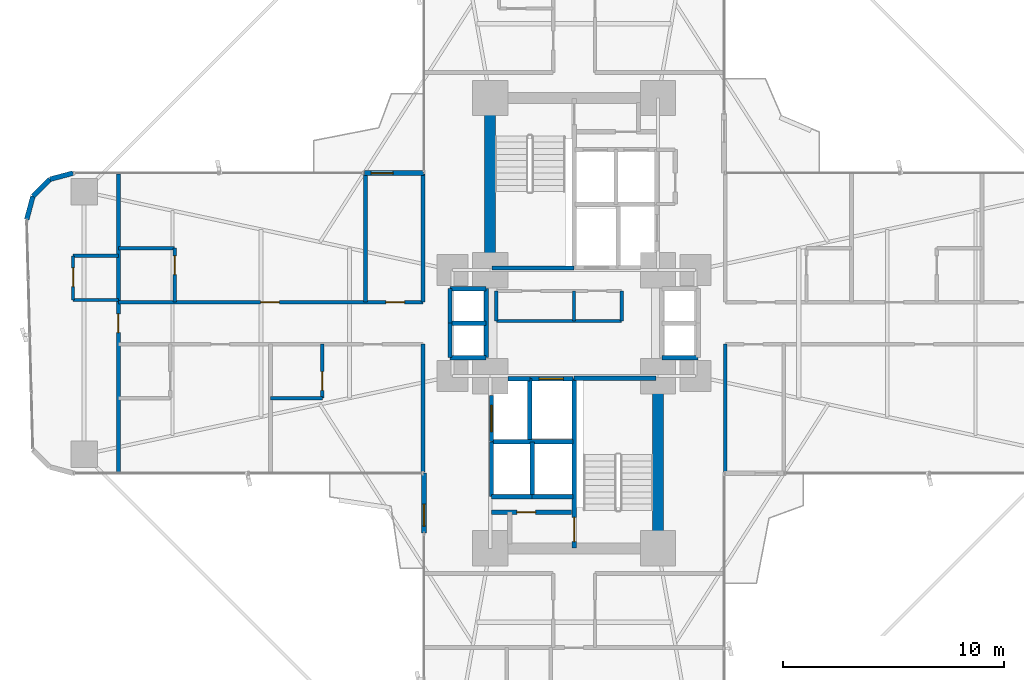
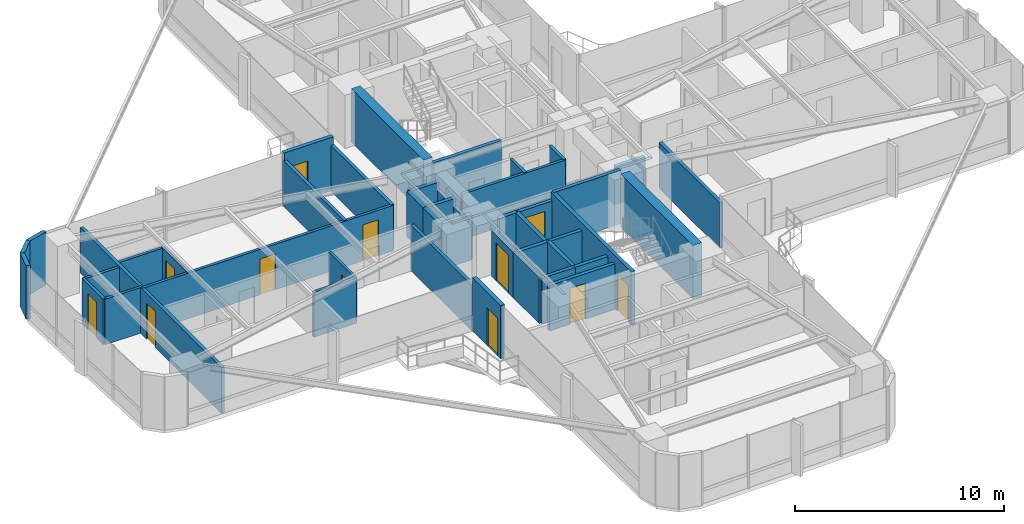
# One storey, part 22 of 26: 44 walls, 12 doors, 12 openings.
"""IFC4 building model written with IfcOpenShell, lengths in metres."""

from ifc_helpers import new_model, si_unit, direction, frame, frame_2d, origin, origin_2d, place, context, subcontext, project, spatial, rectangle, extrude, source, transform, mapped, material, layer, layer_set, type_object, element, fill, save


model = new_model("IFC4")

# Units and contexts
model_context = context("Model", 3, precision=1e-05, world=origin(), true_north=direction((0.0, 1.0)))
body_context = subcontext(model_context, "Body", "Model", "MODEL_VIEW")
ifc_project = project(units=[si_unit("LENGTHUNIT", "METRE"), si_unit("AREAUNIT", "SQUARE_METRE"), si_unit("VOLUMEUNIT", "CUBIC_METRE"), si_unit("PLANEANGLEUNIT", "RADIAN"), si_unit("MASSUNIT", "GRAM", prefix="KILO")], contexts=[model_context])

# Site, building, storey
site_placement = place(None, origin())
site = spatial("IfcSite", under=ifc_project, at=site_placement, CompositionType="ELEMENT")
building_placement = place(site_placement, origin())
building = spatial("IfcBuilding", under=site, at=building_placement, Name="Sahyath Konkavel Grand Hotel", CompositionType="ELEMENT")
storey_placement = place(building_placement, frame((0.0, 0.0, 26.449951171875)))
storey = spatial("IfcBuildingStorey", under=building, at=storey_placement, Name="L06", CompositionType="ELEMENT", Elevation=26.449951171875)

# Walls
ifc_material_1 = material(Name="Concrete C70/85", Category="concrete")
ifc_layer_1 = layer(ifc_material_1, 0.5)
ifc_layer_set_1 = layer_set([ifc_layer_1], Name="Concrete C70/85")
wall_type_1 = type_object("IfcWallType", Name="CWALL-500", PredefinedType="SHEAR", material=ifc_layer_set_1)
for number, where, z_axis, x_axis, name in (
    (1, (-3.800048828125, 2.85009765625, 0.0), (0.0, 0.0, 1.0), (0.0, 1.0, 0.0), "L06 North Core Shear Wall W"),
    (2, (3.800048828125, -9.75, 0.0), (0.0, 0.0, 1.0), (0.0, 1.0, 0.0), "L06 South Core Shear Wall E"),
):
    element("IfcWall", number, at=place(storey_placement, frame(where, z_axis=z_axis, x_axis=x_axis)), inside=storey, type_object=wall_type_1, Name=name, PredefinedType="SHEAR", context=body_context, shape_type="SweptSolid", body=[
        extrude(rectangle(XDim=6.89990234375, YDim=0.5, at=frame_2d((3.449951171875, 0.0))), origin(), (0.0, 0.0, 1.0), 3.110107421875),
    ])

# Wall, opening, door
ifc_material_2 = material(Name="Warm Buff Sandstone Insulated Concrete C40/50", Category="masonry")
ifc_layer_2 = layer(ifc_material_2, 0.219970703125)
ifc_layer_set_2 = layer_set([ifc_layer_2], Name="Warm Buff Sandstone Insulated Concrete C40/50")
wall_type_2 = type_object("IfcWallType", Name="WLL-BALC-THRESH", PredefinedType="STANDARD", material=ifc_layer_set_2)
wall_1_placement = place(storey_placement, frame((-6.800048828125, 6.800048828125, 0.0), z_axis=(0.0, 0.0, 1.0), x_axis=(-1.0, 0.0, 0.0)))
wall_1 = element("IfcWall", 3, at=wall_1_placement, inside=storey, type_object=wall_type_2, Name="L06 Winter-Garden Threshold Wall 16", PredefinedType="STANDARD", context=body_context, shape_type="SweptSolid", body=[
    extrude(rectangle(XDim=2.699951171875, YDim=0.219970703125, at=frame_2d((1.35009765625, 0.0))), origin(), (0.0, 0.0, 1.0), 3.110107421875),
])
opening_1_placement = place(wall_1_placement, frame((1.39990234375, 0.0, 0.0)))
opening_1 = element("IfcOpeningElement", 4, at=opening_1_placement, cuts=wall_1, Name="Opening D-TR1", PredefinedType="OPENING", context=body_context, shape_type="SweptSolid", body=[
    extrude(rectangle(XDim=1.0, YDim=2.199951171875, at=frame_2d((0.5, 1.10009765625))), frame((0.0, 0.1201171875, 0.0), z_axis=(0.0, -1.0, 0.0), x_axis=(1.0, 0.0, 0.0)), (0.0, 0.0, 1.0), 0.239990234375),
])
ifc_material_3 = material(Name="Anodised Bronze Aluminium & Low-E Glazing", Category="aluminium")
door_type_1 = type_object("IfcDoorType", Name="DR-TERRACE-1000", OperationType="NOTDEFINED", PredefinedType="DOOR", material=ifc_material_3)
shared_shape_1 = source(origin(), body_context, "Body", "SweptSolid", [
    extrude(rectangle(XDim=1.0, YDim=0.050048828125, at=origin_2d()), origin(), (0.0, 0.0, 1.0), 2.199951171875),
])
door_1_placement = place(opening_1_placement, frame((0.5, 0.0, 0.0)))
door_1 = element("IfcDoor", 5, at=door_1_placement, inside=storey, type_object=door_type_1, Name="L06 Winter-Garden Terrace Door 16", OperationType="SINGLE_SWING_LEFT", OverallHeight=2.199951171875, OverallWidth=1.0, PredefinedType="DOOR", context=body_context, shape_type="MappedRepresentation", body=[
    mapped(shared_shape_1, transform((0.0, 0.0, 0.0), scale=1.0)),
])
fill(opening_1, door_1)

# Walls
for number, where, z_axis, x_axis, name in (
    (6, (-22.699951171875, 6.800048828125, 0.0), (0.0, 0.0, 1.0), (-0.965951058412, -0.25872485917, 0.0), "L06 Rounded Corner Sandstone Pier 17"),
    (7, (-23.75, 6.518798828125, 0.0), (0.0, 0.0, 1.0), (-0.707106781187, -0.707106781187, 0.0), "L06 Rounded Corner Sandstone Pier 18"),
    (8, (-24.518798828125, 5.75, 0.0), (0.0, 0.0, 1.0), (-0.25872485917, -0.965951058412, 0.0), "L06 Rounded Corner Sandstone Pier 19"),
):
    element("IfcWall", number, at=place(storey_placement, frame(where, z_axis=z_axis, x_axis=x_axis)), inside=storey, type_object=wall_type_2, Name=name, PredefinedType="STANDARD", context=body_context, shape_type="SweptSolid", body=[
        extrude(rectangle(XDim=1.087158203125, YDim=0.219970703125, at=frame_2d((0.54345703125, 0.0))), origin(), (0.0, 0.0, 1.0), 3.110107421875),
    ])

# Wall, opening, door
wall_2_placement = place(storey_placement, frame((-6.800048828125, -6.800048828125, 0.0), z_axis=(0.0, 0.0, 1.0), x_axis=(0.0, -1.0, 0.0)))
wall_2 = element("IfcWall", 9, at=wall_2_placement, inside=storey, type_object=wall_type_2, Name="L06 Winter-Garden Threshold Wall 24", PredefinedType="STANDARD", context=body_context, shape_type="SweptSolid", body=[
    extrude(rectangle(XDim=2.699951171875, YDim=0.219970703125, at=frame_2d((1.35009765625, 0.0))), origin(), (0.0, 0.0, 1.0), 3.110107421875),
])
opening_2_placement = place(wall_2_placement, frame((1.39990234375, 0.0, 0.0)))
opening_2 = element("IfcOpeningElement", 10, at=opening_2_placement, cuts=wall_2, Name="Opening D-TR1", PredefinedType="OPENING", context=body_context, shape_type="SweptSolid", body=[
    extrude(rectangle(XDim=1.0, YDim=2.199951171875, at=frame_2d((0.5, 1.10009765625))), frame((0.0, 0.1201171875, 0.0), z_axis=(0.0, -1.0, 0.0), x_axis=(1.0, 0.0, 0.0)), (0.0, 0.0, 1.0), 0.239990234375),
])
door_2_placement = place(opening_2_placement, frame((0.5, 0.0, 0.0)))
door_2 = element("IfcDoor", 11, at=door_2_placement, inside=storey, type_object=door_type_1, Name="L06 Winter-Garden Terrace Door 24", OperationType="SINGLE_SWING_LEFT", OverallHeight=2.199951171875, OverallWidth=1.0, PredefinedType="DOOR", context=body_context, shape_type="MappedRepresentation", body=[
    mapped(shared_shape_1, transform((0.0, 0.0, 0.0), scale=1.0)),
])
fill(opening_2, door_2)

# Wall
ifc_material_4 = material(Name="Concrete C40/50", Category="concrete")
ifc_layer_3 = layer(ifc_material_4, 0.199951171875)
ifc_layer_set_3 = layer_set([ifc_layer_3], Name="Concrete C40/50")
wall_type_3 = type_object("IfcWallType", Name="WLL-CORE-200", PredefinedType="SOLIDWALL", material=ifc_layer_set_3)
wall_3_placement = place(storey_placement, frame((-3.719970703125, 2.5, 0.0), z_axis=(0.0, 0.0, 1.0), x_axis=(1.0, 0.0, 0.0)))
element("IfcWall", 12, at=wall_3_placement, inside=storey, type_object=wall_type_3, Name="L06 Stair ST-1 Shaft Wall S", PredefinedType="SOLIDWALL", context=body_context, shape_type="SweptSolid", body=[
    extrude(rectangle(XDim=3.719970703125, YDim=0.199951171875, at=frame_2d((1.85986328125, 0.0))), origin(), (0.0, 0.0, 1.0), 3.110107421875),
])

# Wall, opening, door
wall_4_placement = place(storey_placement, frame((0.0, -10.179931640625, 0.0), z_axis=(0.0, 0.0, 1.0), x_axis=(0.0, 1.0, 0.0)))
wall_4 = element("IfcWall", 13, at=wall_4_placement, inside=storey, type_object=wall_type_3, Name="L06 Stair ST-2 Shaft Wall W", PredefinedType="SOLIDWALL", context=body_context, shape_type="SweptSolid", body=[
    extrude(rectangle(XDim=7.679931640625, YDim=0.199951171875, at=frame_2d((3.83984375, 0.0))), origin(), (0.0, 0.0, 1.0), 3.110107421875),
])
opening_3_placement = place(wall_4_placement, frame((0.280029296875, 0.0, 0.0)))
opening_3 = element("IfcOpeningElement", 14, at=opening_3_placement, cuts=wall_4, Name="Opening D-F12B", PredefinedType="OPENING", context=body_context, shape_type="SweptSolid", body=[
    extrude(rectangle(XDim=1.10009765625, YDim=2.14990234375, at=frame_2d((0.550048828125, 1.074951171875))), frame((0.0, 0.10986328125, 0.0), z_axis=(0.0, -1.0, 0.0), x_axis=(1.0, 0.0, 0.0)), (0.0, 0.0, 1.0), 0.219970703125),
])
ifc_material_5 = material(Name="Steel E350 Smokeproof Fire Door", Category="steel")
door_type_2 = type_object("IfcDoorType", Name="DR-FD120-1100", OperationType="NOTDEFINED", PredefinedType="DOOR", material=ifc_material_5)
shared_shape_2 = source(origin(), body_context, "Body", "SweptSolid", [
    extrude(rectangle(XDim=1.10009765625, YDim=0.050048828125, at=origin_2d()), origin(), (0.0, 0.0, 1.0), 2.14990234375),
])
door_3_placement = place(opening_3_placement, frame((0.550048828125, 0.0, 0.0)))
door_3 = element("IfcDoor", 15, at=door_3_placement, inside=storey, type_object=door_type_2, Name="L06 Stair ST-2 Fire Door", OperationType="SINGLE_SWING_RIGHT", OverallHeight=2.14990234375, OverallWidth=1.10009765625, PredefinedType="DOOR", context=body_context, shape_type="MappedRepresentation", body=[
    mapped(shared_shape_2, transform((0.0, 0.0, 0.0), scale=1.0)),
])
fill(opening_3, door_3)

# Walls
wall_5_placement = place(storey_placement, frame((0.0, -2.5, 0.0), z_axis=(0.0, 0.0, 1.0), x_axis=(1.0, 0.0, 0.0)))
element("IfcWall", 16, at=wall_5_placement, inside=storey, type_object=wall_type_3, Name="L06 Stair ST-2 Shaft Wall N", PredefinedType="SOLIDWALL", context=body_context, shape_type="SweptSolid", body=[
    extrude(rectangle(XDim=3.719970703125, YDim=0.199951171875, at=frame_2d((1.85986328125, 0.0))), origin(), (0.0, 0.0, 1.0), 3.110107421875),
])
wall_6_placement = place(storey_placement, frame((-2.0, -5.280029296875, 0.0), z_axis=(0.0, 0.0, 1.0), x_axis=(0.0, 1.0, 0.0)))
element("IfcWall", 17, at=wall_6_placement, inside=storey, type_object=wall_type_3, Name="L06 Partition SH-FFL2-W", PredefinedType="SOLIDWALL", context=body_context, shape_type="SweptSolid", body=[
    extrude(rectangle(XDim=2.780029296875, YDim=0.199951171875, at=frame_2d((1.39013671875, 0.0))), origin(), (0.0, 0.0, 1.0), 2.66015625),
])

# Wall, opening, door
wall_7_placement = place(storey_placement, frame((-2.0, -2.52001953125, 0.0), z_axis=(0.0, 0.0, 1.0), x_axis=(1.0, 0.0, 0.0)))
wall_7 = element("IfcWall", 18, at=wall_7_placement, inside=storey, type_object=wall_type_3, Name="L06 Partition SH-FFL2-N", PredefinedType="SOLIDWALL", context=body_context, shape_type="SweptSolid", body=[
    extrude(rectangle(XDim=1.949951171875, YDim=0.199951171875, at=frame_2d((0.97509765625, 0.0))), origin(), (0.0, 0.0, 1.0), 2.66015625),
])
opening_4_placement = place(wall_7_placement, frame((0.419921875, 0.0, 0.0)))
opening_4 = element("IfcOpeningElement", 19, at=opening_4_placement, cuts=wall_7, Name="Opening LD-11", PredefinedType="OPENING", context=body_context, shape_type="SweptSolid", body=[
    extrude(rectangle(XDim=1.10009765625, YDim=2.199951171875, at=frame_2d((0.550048828125, 1.10009765625))), frame((0.0, 0.10986328125, 0.0), z_axis=(0.0, -1.0, 0.0), x_axis=(1.0, 0.0, 0.0)), (0.0, 0.0, 1.0), 0.219970703125),
])
ifc_material_6 = material(Name="Bronze Lift Landing Door 1100")
door_type_3 = type_object("IfcDoorType", Name="DR-LIFT-1100", OperationType="DOUBLE_DOOR_SLIDING", PredefinedType="DOOR", material=ifc_material_6)
shared_shape_3 = source(origin(), body_context, "Body", "SweptSolid", [
    extrude(rectangle(XDim=1.10009765625, YDim=0.050048828125, at=origin_2d()), origin(), (0.0, 0.0, 1.0), 2.199951171875),
])
door_4_placement = place(opening_4_placement, frame((0.550048828125, 0.0, 0.0)))
door_4 = element("IfcDoor", 20, at=door_4_placement, inside=storey, type_object=door_type_3, Name="L06 Lift FFL-2 Landing Door", OperationType="DOUBLE_DOOR_SLIDING", OverallHeight=2.199951171875, OverallWidth=1.10009765625, PredefinedType="DOOR", context=body_context, shape_type="MappedRepresentation", body=[
    mapped(shared_shape_3, transform((0.0, 0.0, 0.0), scale=1.0)),
])
fill(opening_4, door_4)

# Wall
wall_8_placement = place(storey_placement, frame((-3.0, -2.52001953125, 0.0), z_axis=(0.0, 0.0, 1.0), x_axis=(1.0, 0.0, 0.0)))
element("IfcWall", 21, at=wall_8_placement, inside=storey, type_object=wall_type_3, Name="L06 Partition SH-SVL2-N", PredefinedType="SOLIDWALL", context=body_context, shape_type="SweptSolid", body=[
    extrude(rectangle(XDim=1.0, YDim=0.199951171875, at=frame_2d((0.5, 0.0))), origin(), (0.0, 0.0, 1.0), 2.66015625),
])

# Wall, opening, door
wall_9_placement = place(storey_placement, frame((-3.739990234375, -5.360107421875, 0.0), z_axis=(0.0, 0.0, 1.0), x_axis=(0.0, 1.0, 0.0)))
wall_9 = element("IfcWall", 22, at=wall_9_placement, inside=storey, type_object=wall_type_3, Name="L06 Partition SH-SVL2-W", PredefinedType="SOLIDWALL", context=body_context, shape_type="SweptSolid", body=[
    extrude(rectangle(XDim=2.080078125, YDim=0.199951171875, at=frame_2d((1.0400390625, 0.0))), origin(), (0.0, 0.0, 1.0), 2.66015625),
])
opening_5_placement = place(wall_9_placement, frame((0.43994140625, 0.0, 0.0)))
opening_5 = element("IfcOpeningElement", 23, at=opening_5_placement, cuts=wall_9, Name="Opening LD-12", PredefinedType="OPENING", context=body_context, shape_type="SweptSolid", body=[
    extrude(rectangle(XDim=1.199951171875, YDim=2.199951171875, at=frame_2d((0.60009765625, 1.10009765625))), frame((0.0, 0.10986328125, 0.0), z_axis=(0.0, -1.0, 0.0), x_axis=(1.0, 0.0, 0.0)), (0.0, 0.0, 1.0), 0.219970703125),
])
ifc_material_7 = material(Name="Stainless Steel Lift Landing Door 1200", Category="steel")
door_type_4 = type_object("IfcDoorType", Name="DR-LIFT-1200", OperationType="DOUBLE_DOOR_SLIDING", PredefinedType="DOOR", material=ifc_material_7)
shared_shape_4 = source(origin(), body_context, "Body", "SweptSolid", [
    extrude(rectangle(XDim=1.199951171875, YDim=0.050048828125, at=origin_2d()), origin(), (0.0, 0.0, 1.0), 2.199951171875),
])
door_5_placement = place(opening_5_placement, frame((0.60009765625, 0.0, 0.0)))
door_5 = element("IfcDoor", 24, at=door_5_placement, inside=storey, type_object=door_type_4, Name="L06 Service Lift SVL-2 Landing Door", OperationType="DOUBLE_DOOR_SLIDING", OverallHeight=2.199951171875, OverallWidth=1.199951171875, PredefinedType="DOOR", context=body_context, shape_type="MappedRepresentation", body=[
    mapped(shared_shape_4, transform((0.0, 0.0, 0.0), scale=1.0)),
])
fill(opening_5, door_5)

# Walls
wall_10_placement = place(storey_placement, frame((-3.739990234375, -7.860107421875, 0.0), z_axis=(0.0, 0.0, 1.0), x_axis=(0.0, 1.0, 0.0)))
element("IfcWall", 25, at=wall_10_placement, inside=storey, type_object=wall_type_3, Name="L06 Partition SH-PL3-W", PredefinedType="SOLIDWALL", context=body_context, shape_type="SweptSolid", body=[
    extrude(rectangle(XDim=2.480224609375, YDim=0.199951171875, at=frame_2d((1.240234375, 0.0))), origin(), (0.0, 0.0, 1.0), 2.66015625),
])
wall_11_placement = place(storey_placement, frame((-3.739990234375, -7.860107421875, 0.0), z_axis=(0.0, 0.0, 1.0), x_axis=(1.0, 0.0, 0.0)))
element("IfcWall", 26, at=wall_11_placement, inside=storey, type_object=wall_type_3, Name="L06 Partition SH-PL3-S", PredefinedType="SOLIDWALL", context=body_context, shape_type="SweptSolid", body=[
    extrude(rectangle(XDim=1.840087890625, YDim=0.199951171875, at=frame_2d((0.919921875, 0.0))), origin(), (0.0, 0.0, 1.0), 2.66015625),
])
wall_12_placement = place(storey_placement, frame((-3.739990234375, -5.3798828125, 0.0), z_axis=(0.0, 0.0, 1.0), x_axis=(1.0, 0.0, 0.0)))
element("IfcWall", 27, at=wall_12_placement, inside=storey, type_object=wall_type_3, Name="L06 Partition SH-PL34-N", PredefinedType="SOLIDWALL", context=body_context, shape_type="SweptSolid", body=[
    extrude(rectangle(XDim=3.68994140625, YDim=0.199951171875, at=frame_2d((1.844970703125, 0.0))), origin(), (0.0, 0.0, 1.0), 2.66015625),
])
wall_13_placement = place(storey_placement, frame((-1.89990234375, -7.860107421875, 0.0), z_axis=(0.0, 0.0, 1.0), x_axis=(0.0, 1.0, 0.0)))
element("IfcWall", 28, at=wall_13_placement, inside=storey, type_object=wall_type_3, Name="L06 Partition SH-PL34-M", PredefinedType="SOLIDWALL", context=body_context, shape_type="SweptSolid", body=[
    extrude(rectangle(XDim=2.480224609375, YDim=0.199951171875, at=frame_2d((1.240234375, 0.0))), origin(), (0.0, 0.0, 1.0), 2.66015625),
])
wall_14_placement = place(storey_placement, frame((-1.89990234375, -7.860107421875, 0.0), z_axis=(0.0, 0.0, 1.0), x_axis=(1.0, 0.0, 0.0)))
element("IfcWall", 29, at=wall_14_placement, inside=storey, type_object=wall_type_3, Name="L06 Partition SH-PL4-S", PredefinedType="SOLIDWALL", context=body_context, shape_type="SweptSolid", body=[
    extrude(rectangle(XDim=1.849853515625, YDim=0.199951171875, at=frame_2d((0.9248046875, 0.0))), origin(), (0.0, 0.0, 1.0), 2.66015625),
])
wall_15_placement = place(storey_placement, frame((3.97998046875, -1.56005859375, 0.0), z_axis=(0.0, 0.0, 1.0), x_axis=(1.0, 0.0, 0.0)))
element("IfcWall", 30, at=wall_15_placement, inside=storey, type_object=wall_type_3, Name="L06 Partition SH-PL56-S", PredefinedType="SOLIDWALL", context=body_context, shape_type="SweptSolid", body=[
    extrude(rectangle(XDim=1.64013671875, YDim=0.199951171875, at=frame_2d((0.820068359375, 0.0))), origin(), (0.0, 0.0, 1.0), 2.66015625),
])
wall_16_placement = place(storey_placement, frame((-3.97998046875, -1.56005859375, 0.0), z_axis=(0.0, 0.0, 1.0), x_axis=(0.0, 1.0, 0.0)))
element("IfcWall", 31, at=wall_16_placement, inside=storey, type_object=wall_type_3, Name="L06 Partition SH-SL12-E", PredefinedType="SOLIDWALL", context=body_context, shape_type="SweptSolid", body=[
    extrude(rectangle(XDim=3.1201171875, YDim=0.199951171875, at=frame_2d((1.56005859375, 0.0))), origin(), (0.0, 0.0, 1.0), 2.179931640625),
])
for number, where, z_axis, x_axis, name in (
    (32, (-5.6201171875, 1.56005859375, 0.0), (0.0, 0.0, 1.0), (1.0, 0.0, 0.0), "L06 Partition SH-SL12-N"),
    (33, (-5.6201171875, -1.56005859375, 0.0), (0.0, 0.0, 1.0), (1.0, 0.0, 0.0), "L06 Partition SH-SL12-S"),
    (34, (-5.6201171875, 0.0, 0.0), (0.0, 0.0, 1.0), (1.0, 0.0, 0.0), "L06 Partition SH-SL12-M"),
):
    element("IfcWall", number, at=place(storey_placement, frame(where, z_axis=z_axis, x_axis=x_axis)), inside=storey, type_object=wall_type_3, Name=name, PredefinedType="SOLIDWALL", context=body_context, shape_type="SweptSolid", body=[
        extrude(rectangle(XDim=1.64013671875, YDim=0.199951171875, at=frame_2d((0.820068359375, 0.0))), origin(), (0.0, 0.0, 1.0), 2.66015625),
    ])
for number, where, z_axis, x_axis, name in (
    (35, (-5.6201171875, 0.0, 0.0), (0.0, 0.0, 1.0), (0.0, 1.0, 0.0), "L06 Partition SH-SL1-W"),
    (36, (-5.6201171875, -1.56005859375, 0.0), (0.0, 0.0, 1.0), (0.0, 1.0, 0.0), "L06 Partition SH-SL2-W"),
):
    element("IfcWall", number, at=place(storey_placement, frame(where, z_axis=z_axis, x_axis=x_axis)), inside=storey, type_object=wall_type_3, Name=name, PredefinedType="SOLIDWALL", context=body_context, shape_type="SweptSolid", body=[
        extrude(rectangle(XDim=1.56005859375, YDim=0.199951171875, at=frame_2d((0.780029296875, 0.0))), origin(), (0.0, 0.0, 1.0), 2.66015625),
    ])

# Wall, opening, door
wall_17_placement = place(storey_placement, frame((-3.739990234375, -8.56005859375, 0.0), z_axis=(0.0, 0.0, 1.0), x_axis=(1.0, 0.0, 0.0)))
wall_17 = element("IfcWall", 37, at=wall_17_placement, inside=storey, type_object=wall_type_3, Name="L06 South FF Lobby Separation Wall", PredefinedType="SOLIDWALL", context=body_context, shape_type="SweptSolid", body=[
    extrude(rectangle(XDim=3.619873046875, YDim=0.199951171875, at=frame_2d((1.81005859375, 0.0))), origin(), (0.0, 0.0, 1.0), 2.66015625),
])
opening_6_placement = place(wall_17_placement, frame((1.14990234375, 0.0, 0.0)))
opening_6 = element("IfcOpeningElement", 38, at=opening_6_placement, cuts=wall_17, Name="Opening D-F12D", PredefinedType="OPENING", context=body_context, shape_type="SweptSolid", body=[
    extrude(rectangle(XDim=0.85009765625, YDim=2.10009765625, at=frame_2d((0.425048828125, 1.050048828125))), frame((0.0, 0.10986328125, 0.0), z_axis=(0.0, -1.0, 0.0), x_axis=(1.0, 0.0, 0.0)), (0.0, 0.0, 1.0), 0.219970703125),
])
ifc_material_8 = material(Name="Steel E350 Core Fire Door", Category="steel")
door_type_5 = type_object("IfcDoorType", Name="DR-FD120-850", OperationType="NOTDEFINED", PredefinedType="DOOR", material=ifc_material_8)
shared_shape_5 = source(origin(), body_context, "Body", "SweptSolid", [
    extrude(rectangle(XDim=0.85009765625, YDim=0.050048828125, at=origin_2d()), origin(), (0.0, 0.0, 1.0), 2.10009765625),
])
door_6_placement = place(opening_6_placement, frame((0.425048828125, 0.0, 0.0)))
door_6 = element("IfcDoor", 39, at=door_6_placement, inside=storey, type_object=door_type_5, Name="L06 South Firefighting Lobby Door", OperationType="SINGLE_SWING_LEFT", OverallHeight=2.10009765625, OverallWidth=0.85009765625, PredefinedType="DOOR", context=body_context, shape_type="MappedRepresentation", body=[
    mapped(shared_shape_5, transform((0.0, 0.0, 0.0), scale=1.0)),
])
fill(opening_6, door_6)

# Walls
ifc_material_9 = material(Name="Twin-Stud Acoustic Gypsum Plasterboard Partition")
ifc_layer_4 = layer(ifc_material_9, 0.179931640625)
ifc_layer_set_4 = layer_set([ifc_layer_4], Name="Twin-Stud Acoustic Gypsum Plasterboard Partition")
wall_type_4 = type_object("IfcWallType", Name="WLL-DEMISE-180", PredefinedType="PARTITIONING", material=ifc_layer_set_4)
for number, where, z_axis, x_axis, name in (
    (40, (6.85009765625, -6.75, 0.0), (0.0, 0.0, 1.0), (0.0, 1.0, 0.0), "L06 Partition E-INR"),
    (41, (-6.85009765625, -0.949951171875, 0.0), (0.0, 0.0, 1.0), (0.0, -1.0, 0.0), "L06 Partition W-INL"),
    (42, (-6.85009765625, 6.75, 0.0), (0.0, 0.0, 1.0), (0.0, -1.0, 0.0), "L06 Partition W-INR"),
    (43, (-9.449951171875, 0.949951171875, 0.0), (0.0, 0.0, 1.0), (0.0, 1.0, 0.0), "L06 Partition W-WHK-DEM"),
):
    element("IfcWall", number, at=place(storey_placement, frame(where, z_axis=z_axis, x_axis=x_axis)), inside=storey, type_object=wall_type_4, Name=name, PredefinedType="PARTITIONING", context=body_context, shape_type="SweptSolid", body=[
        extrude(rectangle(XDim=5.800048828125, YDim=0.179931640625, at=frame_2d((2.89990234375, 0.0))), origin(), (0.0, 0.0, 1.0), 2.66015625),
    ])

# Wall, opening, door
wall_18_placement = place(storey_placement, frame((-20.64990234375, 6.75, 0.0), z_axis=(0.0, 0.0, 1.0), x_axis=(0.0, -1.0, 0.0)))
wall_18 = element("IfcWall", 44, at=wall_18_placement, inside=storey, type_object=wall_type_4, Name="L06 Partition W-WTIP-END", PredefinedType="PARTITIONING", context=body_context, shape_type="SweptSolid", body=[
    extrude(rectangle(XDim=13.5, YDim=0.179931640625, at=frame_2d((6.75, 0.0))), origin(), (0.0, 0.0, 1.0), 2.66015625),
])
opening_7_placement = place(wall_18_placement, frame((6.324951171875, 0.0, 0.0)))
opening_7 = element("IfcOpeningElement", 45, at=opening_7_placement, cuts=wall_18, Name="Opening D-F06D", PredefinedType="OPENING", context=body_context, shape_type="SweptSolid", body=[
    extrude(rectangle(XDim=0.85009765625, YDim=2.10009765625, at=frame_2d((0.425048828125, 1.050048828125))), frame((0.0, 0.10009765625, 0.0), z_axis=(0.0, -1.0, 0.0), x_axis=(1.0, 0.0, 0.0)), (0.0, 0.0, 1.0), 0.199951171875),
])
ifc_material_10 = material(Name="Fire-Rated Shaft Access Door")
door_type_6 = type_object("IfcDoorType", Name="DR-FD60-850", OperationType="NOTDEFINED", PredefinedType="DOOR", material=ifc_material_10)
door_7_placement = place(opening_7_placement, frame((0.425048828125, 0.0, 0.0)))
door_7 = element("IfcDoor", 46, at=door_7_placement, inside=storey, type_object=door_type_6, Name="L06 Door W-WTIP-ED", OperationType="SINGLE_SWING_RIGHT", OverallHeight=2.10009765625, OverallWidth=0.85009765625, PredefinedType="DOOR", context=body_context, shape_type="MappedRepresentation", body=[
    mapped(shared_shape_5, transform((0.0, 0.0, 0.0), scale=1.0)),
])
fill(opening_7, door_7)

# Walls
ifc_material_11 = material(Name="Fire-Rated Gypsum Plasterboard Partition")
ifc_layer_5 = layer(ifc_material_11, 0.14990234375)
ifc_layer_set_5 = layer_set([ifc_layer_5], Name="Fire-Rated Gypsum Plasterboard Partition")
wall_type_5 = type_object("IfcWallType", Name="WLL-PART-150", PredefinedType="PARTITIONING", material=ifc_layer_set_5)
wall_19_placement = place(storey_placement, frame((-3.52001953125, 0.10009765625, 0.0), z_axis=(0.0, 0.0, 1.0), x_axis=(1.0, 0.0, 0.0)))
element("IfcWall", 47, at=wall_19_placement, inside=storey, type_object=wall_type_5, Name="L06 Partition CC-S0-FIX", PredefinedType="PARTITIONING", context=body_context, shape_type="SweptSolid", body=[
    extrude(rectangle(XDim=5.679931640625, YDim=0.14990234375, at=frame_2d((2.83984375, 0.0))), origin(), (0.0, 0.0, 1.0), 2.66015625),
])
wall_20_placement = place(storey_placement, frame((-3.52001953125, 0.10009765625, 0.0), z_axis=(0.0, 0.0, 1.0), x_axis=(0.0, 1.0, 0.0)))
element("IfcWall", 48, at=wall_20_placement, inside=storey, type_object=wall_type_5, Name="L06 Partition CC-W0", PredefinedType="PARTITIONING", context=body_context, shape_type="SweptSolid", body=[
    extrude(rectangle(XDim=1.35986328125, YDim=0.14990234375, at=frame_2d((0.679931640625, 0.0))), origin(), (0.0, 0.0, 1.0), 2.179931640625),
])
for number, where, z_axis, x_axis, name in (
    (49, (2.159912109375, 0.10009765625, 0.0), (0.0, 0.0, 1.0), (0.0, 1.0, 0.0), "L06 Partition CC-E0"),
    (50, (0.0, 0.10009765625, 0.0), (0.0, 0.0, 1.0), (0.0, 1.0, 0.0), "L06 Partition CC-M0"),
):
    element("IfcWall", number, at=place(storey_placement, frame(where, z_axis=z_axis, x_axis=x_axis)), inside=storey, type_object=wall_type_5, Name=name, PredefinedType="PARTITIONING", context=body_context, shape_type="SweptSolid", body=[
        extrude(rectangle(XDim=1.35986328125, YDim=0.14990234375, at=frame_2d((0.679931640625, 0.0))), origin(), (0.0, 0.0, 1.0), 2.66015625),
    ])

# Wall, openings, doors
wall_21_placement = place(storey_placement, frame((-6.85009765625, 0.949951171875, 0.0), z_axis=(0.0, 0.0, 1.0), x_axis=(-1.0, 0.0, 0.0)))
wall_21 = element("IfcWall", 51, at=wall_21_placement, inside=storey, type_object=wall_type_5, Name="L06 Partition W-CR", PredefinedType="PARTITIONING", context=body_context, shape_type="SweptSolid", body=[
    extrude(rectangle(XDim=13.7998046875, YDim=0.14990234375, at=frame_2d((6.89990234375, 0.0))), origin(), (0.0, 0.0, 1.0), 2.66015625),
])
opening_8_placement = place(wall_21_placement, frame((0.824951171875, 0.0, 0.0)))
opening_8 = element("IfcOpeningElement", 52, at=opening_8_placement, cuts=wall_21, Name="Opening D-F06D", PredefinedType="OPENING", context=body_context, shape_type="SweptSolid", body=[
    extrude(rectangle(XDim=0.85009765625, YDim=2.10009765625, at=frame_2d((0.425048828125, 1.050048828125))), frame((0.0, 0.0849609375, 0.0), z_axis=(0.0, -1.0, 0.0), x_axis=(1.0, 0.0, 0.0)), (0.0, 0.0, 1.0), 0.169921875),
])
opening_9_placement = place(wall_21_placement, frame((6.5, 0.0, 0.0)))
opening_9 = element("IfcOpeningElement", 53, at=opening_9_placement, cuts=wall_21, Name="Opening D-F06D", PredefinedType="OPENING", context=body_context, shape_type="SweptSolid", body=[
    extrude(rectangle(XDim=0.85009765625, YDim=2.10009765625, at=frame_2d((0.425048828125, 1.050048828125))), frame((0.0, 0.0849609375, 0.0), z_axis=(0.0, -1.0, 0.0), x_axis=(1.0, 0.0, 0.0)), (0.0, 0.0, 1.0), 0.169921875),
])
door_8_placement = place(opening_8_placement, frame((0.425048828125, 0.0, 0.0)))
door_8 = element("IfcDoor", 54, at=door_8_placement, inside=storey, type_object=door_type_6, Name="L06 Door W-WHK-D", OperationType="SINGLE_SWING_RIGHT", OverallHeight=2.10009765625, OverallWidth=0.85009765625, PredefinedType="DOOR", context=body_context, shape_type="MappedRepresentation", body=[
    mapped(shared_shape_5, transform((0.0, 0.0, 0.0), scale=1.0)),
])
fill(opening_8, door_8)
door_9_placement = place(opening_9_placement, frame((0.425048828125, 0.0, 0.0)))
door_9 = element("IfcDoor", 55, at=door_9_placement, inside=storey, type_object=door_type_6, Name="L06 Door W-W4R2-ED", OperationType="SINGLE_SWING_RIGHT", OverallHeight=2.10009765625, OverallWidth=0.85009765625, PredefinedType="DOOR", context=body_context, shape_type="MappedRepresentation", body=[
    mapped(shared_shape_5, transform((0.0, 0.0, 0.0), scale=1.0)),
])
fill(opening_9, door_9)

# Wall, opening, door
wall_22_placement = place(storey_placement, frame((-11.404052734375, -0.949951171875, 0.0), z_axis=(0.0, 0.0, 1.0), x_axis=(0.0, -1.0, 0.0)))
wall_22 = element("IfcWall", 56, at=wall_22_placement, inside=storey, type_object=wall_type_5, Name="L06 Partition W-W4L1-BS", PredefinedType="PARTITIONING", context=body_context, shape_type="SweptSolid", body=[
    extrude(rectangle(XDim=2.449951171875, YDim=0.14990234375, at=frame_2d((1.22509765625, 0.0))), origin(), (0.0, 0.0, 1.0), 2.66015625),
])
opening_10_placement = place(wall_22_placement, frame((1.25, 0.0, 0.0)))
opening_10 = element("IfcOpeningElement", 57, at=opening_10_placement, cuts=wall_22, Name="Opening D-BT85", PredefinedType="OPENING", context=body_context, shape_type="SweptSolid", body=[
    extrude(rectangle(XDim=0.85009765625, YDim=2.10009765625, at=frame_2d((0.425048828125, 1.050048828125))), frame((0.0, 0.0849609375, 0.0), z_axis=(0.0, -1.0, 0.0), x_axis=(1.0, 0.0, 0.0)), (0.0, 0.0, 1.0), 0.169921875),
])
ifc_material_12 = material(Name="Moisture-Resistant Teak Bathroom Door")
door_type_7 = type_object("IfcDoorType", Name="DR-BATH-850", OperationType="NOTDEFINED", PredefinedType="DOOR", material=ifc_material_12)
door_10_placement = place(opening_10_placement, frame((0.425048828125, 0.0, 0.0)))
door_10 = element("IfcDoor", 58, at=door_10_placement, inside=storey, type_object=door_type_7, Name="L06 Door W-W4L1-BD", OperationType="SINGLE_SWING_RIGHT", OverallHeight=2.10009765625, OverallWidth=0.85009765625, PredefinedType="DOOR", context=body_context, shape_type="MappedRepresentation", body=[
    mapped(shared_shape_5, transform((0.0, 0.0, 0.0), scale=1.0)),
])
fill(opening_10, door_10)

# Wall
wall_23_placement = place(storey_placement, frame((-11.404052734375, -3.39990234375, 0.0), z_axis=(0.0, 0.0, 1.0), x_axis=(-1.0, 0.0, 0.0)))
element("IfcWall", 59, at=wall_23_placement, inside=storey, type_object=wall_type_5, Name="L06 Partition W-W4L1-BF", PredefinedType="PARTITIONING", context=body_context, shape_type="SweptSolid", body=[
    extrude(rectangle(XDim=2.345947265625, YDim=0.14990234375, at=frame_2d((1.1728515625, 0.0))), origin(), (0.0, 0.0, 1.0), 2.630126953125),
])

# Wall, opening, door
wall_24_placement = place(storey_placement, frame((-18.10009765625, 0.949951171875, 0.0), z_axis=(0.0, 0.0, 1.0), x_axis=(0.0, 1.0, 0.0)))
wall_24 = element("IfcWall", 60, at=wall_24_placement, inside=storey, type_object=wall_type_5, Name="L06 Partition W-W4R2-BS", PredefinedType="PARTITIONING", context=body_context, shape_type="SweptSolid", body=[
    extrude(rectangle(XDim=2.449951171875, YDim=0.14990234375, at=frame_2d((1.22509765625, 0.0))), origin(), (0.0, 0.0, 1.0), 2.66015625),
])
opening_11_placement = place(wall_24_placement, frame((1.25, 0.0, 0.0)))
opening_11 = element("IfcOpeningElement", 61, at=opening_11_placement, cuts=wall_24, Name="Opening D-BT85", PredefinedType="OPENING", context=body_context, shape_type="SweptSolid", body=[
    extrude(rectangle(XDim=0.85009765625, YDim=2.10009765625, at=frame_2d((0.425048828125, 1.050048828125))), frame((0.0, 0.0849609375, 0.0), z_axis=(0.0, -1.0, 0.0), x_axis=(1.0, 0.0, 0.0)), (0.0, 0.0, 1.0), 0.169921875),
])
door_11_placement = place(opening_11_placement, frame((0.425048828125, 0.0, 0.0)))
door_11 = element("IfcDoor", 62, at=door_11_placement, inside=storey, type_object=door_type_7, Name="L06 Door W-W4R2-BD", OperationType="SINGLE_SWING_LEFT", OverallHeight=2.10009765625, OverallWidth=0.85009765625, PredefinedType="DOOR", context=body_context, shape_type="MappedRepresentation", body=[
    mapped(shared_shape_5, transform((0.0, 0.0, 0.0), scale=1.0)),
])
fill(opening_11, door_11)

# Walls
wall_25_placement = place(storey_placement, frame((-18.10009765625, 3.39990234375, 0.0), z_axis=(0.0, 0.0, 1.0), x_axis=(-1.0, 0.0, 0.0)))
element("IfcWall", 63, at=wall_25_placement, inside=storey, type_object=wall_type_5, Name="L06 Partition W-W4R2-BF", PredefinedType="PARTITIONING", context=body_context, shape_type="SweptSolid", body=[
    extrude(rectangle(XDim=2.5498046875, YDim=0.14990234375, at=frame_2d((1.27490234375, 0.0))), origin(), (0.0, 0.0, 1.0), 2.630126953125),
])
wall_26_placement = place(storey_placement, frame((-20.64990234375, 1.050048828125, 0.0), z_axis=(0.0, 0.0, 1.0), x_axis=(-1.0, 0.0, 0.0)))
element("IfcWall", 64, at=wall_26_placement, inside=storey, type_object=wall_type_5, Name="L06 Partition W-WTIP-BN", PredefinedType="PARTITIONING", context=body_context, shape_type="SweptSolid", body=[
    extrude(rectangle(XDim=2.050048828125, YDim=0.14990234375, at=frame_2d((1.02490234375, 0.0))), origin(), (0.0, 0.0, 1.0), 2.66015625),
])
wall_27_placement = place(storey_placement, frame((-20.64990234375, 3.050048828125, 0.0), z_axis=(0.0, 0.0, 1.0), x_axis=(-1.0, 0.0, 0.0)))
element("IfcWall", 65, at=wall_27_placement, inside=storey, type_object=wall_type_5, Name="L06 Partition W-WTIP-BS", PredefinedType="PARTITIONING", context=body_context, shape_type="SweptSolid", body=[
    extrude(rectangle(XDim=2.050048828125, YDim=0.14990234375, at=frame_2d((1.02490234375, 0.0))), origin(), (0.0, 0.0, 1.0), 2.630126953125),
])

# Wall, opening, door
wall_28_placement = place(storey_placement, frame((-22.699951171875, 3.050048828125, 0.0), z_axis=(0.0, 0.0, 1.0), x_axis=(0.0, -1.0, 0.0)))
wall_28 = element("IfcWall", 66, at=wall_28_placement, inside=storey, type_object=wall_type_5, Name="L06 Partition W-WTIP-BE", PredefinedType="PARTITIONING", context=body_context, shape_type="SweptSolid", body=[
    extrude(rectangle(XDim=2.0, YDim=0.14990234375, at=frame_2d((1.0, 0.0))), origin(), (0.0, 0.0, 1.0), 2.66015625),
])
opening_12_placement = place(wall_28_placement, frame((0.550048828125, 0.0, 0.0)))
opening_12 = element("IfcOpeningElement", 67, at=opening_12_placement, cuts=wall_28, Name="Opening D-BT85", PredefinedType="OPENING", context=body_context, shape_type="SweptSolid", body=[
    extrude(rectangle(XDim=0.85009765625, YDim=2.10009765625, at=frame_2d((0.425048828125, 1.050048828125))), frame((0.0, 0.0849609375, 0.0), z_axis=(0.0, -1.0, 0.0), x_axis=(1.0, 0.0, 0.0)), (0.0, 0.0, 1.0), 0.169921875),
])
door_12_placement = place(opening_12_placement, frame((0.425048828125, 0.0, 0.0)))
door_12 = element("IfcDoor", 68, at=door_12_placement, inside=storey, type_object=door_type_7, Name="L06 Door W-WTIP-BD", OperationType="SINGLE_SWING_LEFT", OverallHeight=2.10009765625, OverallWidth=0.85009765625, PredefinedType="DOOR", context=body_context, shape_type="MappedRepresentation", body=[
    mapped(shared_shape_5, transform((0.0, 0.0, 0.0), scale=1.0)),
])
fill(opening_12, door_12)

save(model, "model.ifc")
